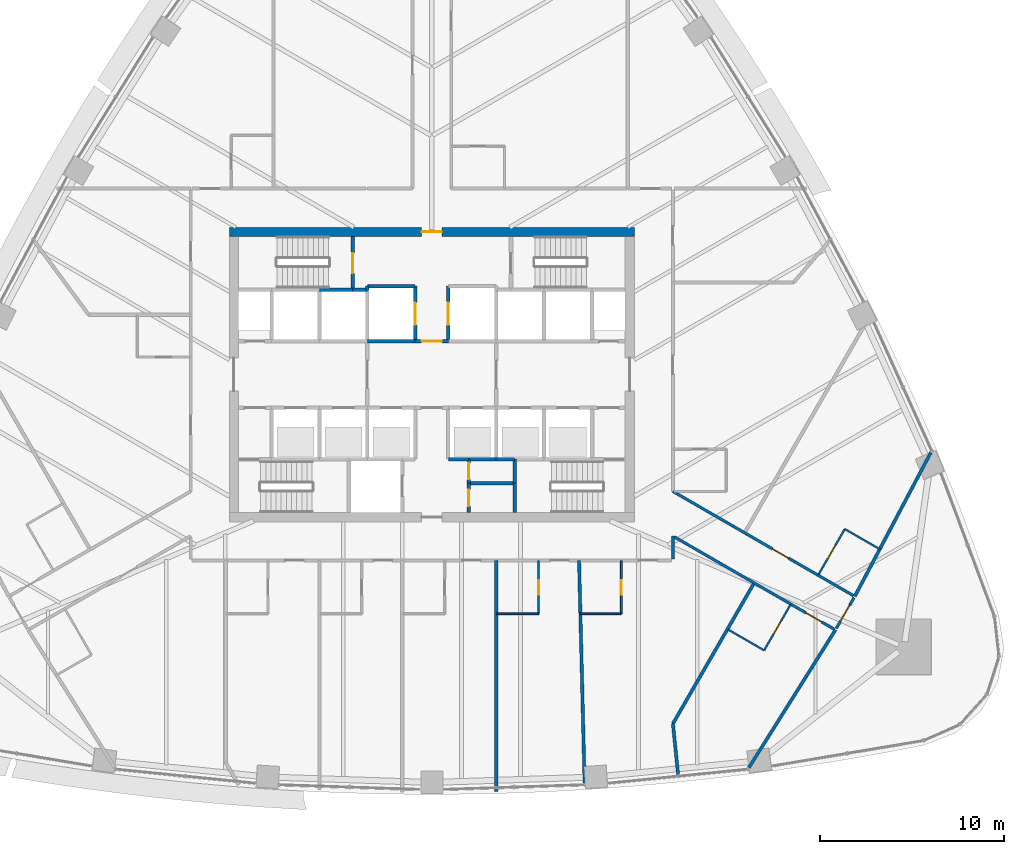
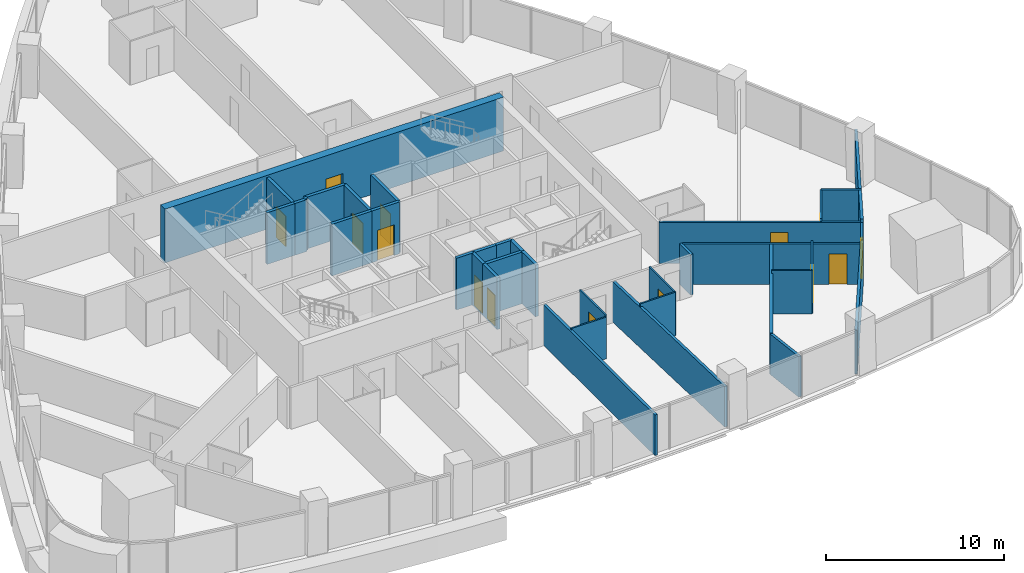
# One storey, part 11 of 17: 36 walls, 14 doors, 14 openings.
"""IFC4 building model written with IfcOpenShell, lengths in metres."""

from ifc_helpers import new_model, si_unit, direction, frame, frame_2d, origin, place, context, subcontext, project, spatial, rectangle, extrude, material, layer, layer_set, type_object, element, fill, save


model = new_model("IFC4")

# Units and contexts
model_context = context("Model", 3, precision=1e-05, world=origin(), true_north=direction((0.0, 1.0)))
body_context = subcontext(model_context, "Body", "Model", "MODEL_VIEW")
ifc_project = project(units=[si_unit("LENGTHUNIT", "METRE"), si_unit("AREAUNIT", "SQUARE_METRE"), si_unit("VOLUMEUNIT", "CUBIC_METRE"), si_unit("PLANEANGLEUNIT", "RADIAN"), si_unit("MASSUNIT", "GRAM", prefix="KILO")], contexts=[model_context])

# Site, building, storey
site_placement = place(None, origin())
site = spatial("IfcSite", under=ifc_project, at=site_placement, CompositionType="ELEMENT")
building_placement = place(site_placement, origin())
building = spatial("IfcBuilding", under=site, at=building_placement, Name="Sierra Prisma Convention Tower", CompositionType="ELEMENT")
storey_placement = place(building_placement, frame((0.0, 0.0, 99.800048828125)))
storey = spatial("IfcBuildingStorey", under=building, at=storey_placement, Name="L21", CompositionType="ELEMENT", Elevation=99.800048828125)

# Wall, opening, door
ifc_material_1 = material(Name="Gypsum board partition", Category="gypsum")
ifc_layer_1 = layer(ifc_material_1, 0.10009765625)
ifc_layer_set_1 = layer_set([ifc_layer_1], Name="Bathroom partition 100")
wall_type_1 = type_object("IfcWallType", Name="Bathroom partition 100", PredefinedType="PARTITIONING", material=ifc_layer_set_1)
wall_1_placement = place(storey_placement, frame((5.800048828125, -10.1298828125, 0.0), z_axis=(0.0, 0.0, 1.0), x_axis=(0.0, -1.0, 0.0)))
wall_1 = element("IfcWall", 1, at=wall_1_placement, inside=storey, type_object=wall_type_1, Name="Partition L21 bath 20", PredefinedType="PARTITIONING", context=body_context, shape_type="SweptSolid", body=[
    extrude(rectangle(XDim=2.8701171875, YDim=0.10009765625, at=frame_2d((1.43505859375, 0.0))), origin(), (0.0, 0.0, 1.0), 3.0),
])
opening_1_placement = place(wall_1_placement, frame((1.034912109375, 0.0, 0.0)))
opening_1 = element("IfcOpeningElement", 2, at=opening_1_placement, cuts=wall_1, Name="Opening L21-D010", PredefinedType="OPENING", context=body_context, shape_type="SweptSolid", body=[
    extrude(rectangle(XDim=0.800048828125, YDim=2.10009765625, at=frame_2d((0.39990234375, 1.050048828125))), frame((0.0, 0.050048828125, 0.0), z_axis=(0.0, -1.0, 0.0), x_axis=(1.0, 0.0, 0.0)), (0.0, 0.0, 1.0), 0.10009765625),
])
ifc_material_2 = material(Name="Solid core timber door leaf", Category="wood")
door_type_1 = type_object("IfcDoorType", Name="Door 800x2100 plain", OperationType="SINGLE_SWING_LEFT", PredefinedType="DOOR", material=ifc_material_2)
door_1_placement = place(opening_1_placement, origin())
door_1 = element("IfcDoor", 3, at=door_1_placement, inside=storey, type_object=door_type_1, Name="Door L21 24", OperationType="SINGLE_SWING_LEFT", OverallHeight=2.10009765625, OverallWidth=0.800048828125, PredefinedType="DOOR", context=body_context, shape_type="SweptSolid", body=[
    extrude(rectangle(XDim=0.800048828125, YDim=2.10009765625, at=frame_2d((0.39990234375, 1.050048828125))), frame((0.0, 0.02490234375, 0.0), z_axis=(0.0, -1.0, 0.0), x_axis=(1.0, 0.0, 0.0)), (0.0, 0.0, 1.0), 0.050048828125),
])
fill(opening_1, door_1)

# Wall
wall_2_placement = place(storey_placement, frame((5.800048828125, -13.0, 0.0), z_axis=(0.0, 0.0, 1.0), x_axis=(-1.0, 0.0, 0.0)))
element("IfcWall", 4, at=wall_2_placement, inside=storey, type_object=wall_type_1, Name="Partition L21 bath 21", PredefinedType="PARTITIONING", context=body_context, shape_type="SweptSolid", body=[
    extrude(rectangle(XDim=2.27001953125, YDim=0.10009765625, at=frame_2d((1.135009765625, 0.0))), origin(), (0.0, 0.0, 1.0), 2.866943359375),
])

# Wall, opening, door
wall_3_placement = place(storey_placement, frame((10.300048828125, -10.1298828125, 0.0), z_axis=(0.0, 0.0, 1.0), x_axis=(0.0, -1.0, 0.0)))
wall_3 = element("IfcWall", 5, at=wall_3_placement, inside=storey, type_object=wall_type_1, Name="Partition L21 bath 22", PredefinedType="PARTITIONING", context=body_context, shape_type="SweptSolid", body=[
    extrude(rectangle(XDim=2.8701171875, YDim=0.10009765625, at=frame_2d((1.43505859375, 0.0))), origin(), (0.0, 0.0, 1.0), 3.0),
])
opening_2_placement = place(wall_3_placement, frame((1.034912109375, 0.0, 0.0)))
opening_2 = element("IfcOpeningElement", 6, at=opening_2_placement, cuts=wall_3, Name="Opening L21-D011", PredefinedType="OPENING", context=body_context, shape_type="SweptSolid", body=[
    extrude(rectangle(XDim=0.800048828125, YDim=2.10009765625, at=frame_2d((0.39990234375, 1.050048828125))), frame((0.0, 0.050048828125, 0.0), z_axis=(0.0, -1.0, 0.0), x_axis=(1.0, 0.0, 0.0)), (0.0, 0.0, 1.0), 0.10009765625),
])
door_2_placement = place(opening_2_placement, origin())
door_2 = element("IfcDoor", 7, at=door_2_placement, inside=storey, type_object=door_type_1, Name="Door L21 26", OperationType="SINGLE_SWING_RIGHT", OverallHeight=2.10009765625, OverallWidth=0.800048828125, PredefinedType="DOOR", context=body_context, shape_type="SweptSolid", body=[
    extrude(rectangle(XDim=0.800048828125, YDim=2.10009765625, at=frame_2d((0.39990234375, 1.050048828125))), frame((0.0, 0.02490234375, 0.0), z_axis=(0.0, -1.0, 0.0), x_axis=(1.0, 0.0, 0.0)), (0.0, 0.0, 1.0), 0.050048828125),
])
fill(opening_2, door_2)

# Wall
wall_4_placement = place(storey_placement, frame((10.300048828125, -13.0, 0.0), z_axis=(0.0, 0.0, 1.0), x_axis=(-1.0, 0.0, 0.0)))
element("IfcWall", 8, at=wall_4_placement, inside=storey, type_object=wall_type_1, Name="Partition L21 bath 23", PredefinedType="PARTITIONING", context=body_context, shape_type="SweptSolid", body=[
    extrude(rectangle(XDim=2.27001953125, YDim=0.10009765625, at=frame_2d((1.135009765625, 0.0))), origin(), (0.0, 0.0, 1.0), 3.0),
])

# Wall, opening, door
wall_5_placement = place(storey_placement, frame((19.489990234375, -12.499755859375, 0.0), z_axis=(0.0, 0.0, 1.0), x_axis=(-0.499972835562, -0.866041086612, 0.0)))
wall_5 = element("IfcWall", 9, at=wall_5_placement, inside=storey, type_object=wall_type_1, Name="Partition L21 bath 27", PredefinedType="PARTITIONING", context=body_context, shape_type="SweptSolid", body=[
    extrude(rectangle(XDim=2.869873046875, YDim=0.10009765625, at=frame_2d((1.43505859375, 0.0))), origin(), (0.0, 0.0, 1.0), 3.0),
])
opening_3_placement = place(wall_5_placement, frame((1.034912109375, 0.0, 0.0)))
opening_3 = element("IfcOpeningElement", 10, at=opening_3_placement, cuts=wall_5, Name="Opening L21-D012", PredefinedType="OPENING", context=body_context, shape_type="SweptSolid", body=[
    extrude(rectangle(XDim=0.800048828125, YDim=2.10009765625, at=frame_2d((0.39990234375, 1.050048828125))), frame((0.0, 0.050048828125, 0.0), z_axis=(0.0, -1.0, 0.0), x_axis=(1.0, 0.0, 0.0)), (0.0, 0.0, 1.0), 0.10009765625),
])
door_3_placement = place(opening_3_placement, origin())
door_3 = element("IfcDoor", 11, at=door_3_placement, inside=storey, type_object=door_type_1, Name="Door L21 28", OperationType="SINGLE_SWING_LEFT", OverallHeight=2.10009765625, OverallWidth=0.800048828125, PredefinedType="DOOR", context=body_context, shape_type="SweptSolid", body=[
    extrude(rectangle(XDim=0.800048828125, YDim=2.10009765625, at=frame_2d((0.39990234375, 1.050048828125))), frame((0.0, 0.02490234375, 0.0), z_axis=(0.0, -1.0, 0.0), x_axis=(1.0, 0.0, 0.0)), (0.0, 0.0, 1.0), 0.050048828125),
])
fill(opening_3, door_3)

# Wall
wall_6_placement = place(storey_placement, frame((18.05517578125, -14.985107421875, 0.0), z_axis=(0.0, 0.0, 1.0), x_axis=(-0.866044110172, 0.499967598186, 0.0)))
element("IfcWall", 12, at=wall_6_placement, inside=storey, type_object=wall_type_1, Name="Partition L21 bath 28", PredefinedType="PARTITIONING", context=body_context, shape_type="SweptSolid", body=[
    extrude(rectangle(XDim=2.270263671875, YDim=0.10009765625, at=frame_2d((1.13525390625, 0.0))), origin(), (0.0, 0.0, 1.0), 3.0),
])

# Wall, opening, door
wall_7_placement = place(storey_placement, frame((21.003173828125, -10.879150390625, 0.0), z_axis=(0.0, 0.0, 1.0), x_axis=(0.499936001555, 0.866062350151, 0.0)))
wall_7 = element("IfcWall", 13, at=wall_7_placement, inside=storey, type_object=wall_type_1, Name="Partition L21 bath 29", PredefinedType="PARTITIONING", context=body_context, shape_type="SweptSolid", body=[
    extrude(rectangle(XDim=2.8701171875, YDim=0.10009765625, at=frame_2d((1.43505859375, 0.0))), origin(), (0.0, 0.0, 1.0), 3.0),
])
opening_4_placement = place(wall_7_placement, frame((1.034912109375, 0.0, 0.0)))
opening_4 = element("IfcOpeningElement", 14, at=opening_4_placement, cuts=wall_7, Name="Opening L21-D013", PredefinedType="OPENING", context=body_context, shape_type="SweptSolid", body=[
    extrude(rectangle(XDim=0.800048828125, YDim=2.10009765625, at=frame_2d((0.39990234375, 1.050048828125))), frame((0.0, 0.050048828125, 0.0), z_axis=(0.0, -1.0, 0.0), x_axis=(1.0, 0.0, 0.0)), (0.0, 0.0, 1.0), 0.10009765625),
])
door_4_placement = place(opening_4_placement, origin())
door_4 = element("IfcDoor", 15, at=door_4_placement, inside=storey, type_object=door_type_1, Name="Door L21 31", OperationType="SINGLE_SWING_LEFT", OverallHeight=2.10009765625, OverallWidth=0.800048828125, PredefinedType="DOOR", context=body_context, shape_type="SweptSolid", body=[
    extrude(rectangle(XDim=0.800048828125, YDim=2.10009765625, at=frame_2d((0.39990234375, 1.050048828125))), frame((0.0, 0.02490234375, 0.0), z_axis=(0.0, -1.0, 0.0), x_axis=(1.0, 0.0, 0.0)), (0.0, 0.0, 1.0), 0.050048828125),
])
fill(opening_4, door_4)

# Walls
wall_8_placement = place(storey_placement, frame((22.43798828125, -8.3935546875, 0.0), z_axis=(0.0, 0.0, 1.0), x_axis=(0.866044110172, -0.499967598186, 0.0)))
element("IfcWall", 16, at=wall_8_placement, inside=storey, type_object=wall_type_1, Name="Partition L21 bath 30", PredefinedType="PARTITIONING", context=body_context, shape_type="SweptSolid", body=[
    extrude(rectangle(XDim=2.270263671875, YDim=0.10009765625, at=frame_2d((1.13525390625, 0.0))), origin(), (0.0, 0.0, 1.0), 3.0),
])
ifc_material_3 = material(Name="Concrete C30/37", Category="concrete")
ifc_layer_2 = layer(ifc_material_3, 0.199951171875)
ifc_layer_set_2 = layer_set([ifc_layer_2], Name="Core wall RC 200 C30/37")
wall_type_2 = type_object("IfcWallType", Name="Core wall RC 200 C30/37", PredefinedType="SOLIDWALL", material=ifc_layer_set_2)
wall_9_placement = place(storey_placement, frame((-4.300048828125, 4.60009765625, 0.0), z_axis=(0.0, 0.0, 1.0), x_axis=(-1.0, 0.0, 0.0)))
element("IfcWall", 17, at=wall_9_placement, inside=storey, type_object=wall_type_2, Name="Core wall L21 16", PredefinedType="SOLIDWALL", context=body_context, shape_type="SweptSolid", body=[
    extrude(rectangle(XDim=1.800048828125, YDim=0.199951171875, at=frame_2d((0.89990234375, 0.0))), origin(), (0.0, 0.0, 1.0), 3.550048828125),
])
wall_10_placement = place(storey_placement, frame((-3.5, 4.60009765625, 0.0), z_axis=(0.0, 0.0, 1.0), x_axis=(-1.0, 0.0, 0.0)))
element("IfcWall", 18, at=wall_10_placement, inside=storey, type_object=wall_type_2, Name="Core wall L21 19", PredefinedType="SOLIDWALL", context=body_context, shape_type="SweptSolid", body=[
    extrude(rectangle(XDim=0.800048828125, YDim=0.199951171875, at=frame_2d((0.39990234375, 0.0))), origin(), (0.0, 0.0, 1.0), 3.550048828125),
])

# Wall, opening, door
wall_11_placement = place(storey_placement, frame((-4.300048828125, 4.60009765625, 0.0), z_axis=(0.0, 0.0, 1.0), x_axis=(0.0, 1.0, 0.0)))
wall_11 = element("IfcWall", 19, at=wall_11_placement, inside=storey, type_object=wall_type_2, Name="Core wall L21 20", PredefinedType="SOLIDWALL", context=body_context, shape_type="SweptSolid", body=[
    extrude(rectangle(XDim=2.89990234375, YDim=0.199951171875, at=frame_2d((1.449951171875, 0.0))), origin(), (0.0, 0.0, 1.0), 3.550048828125),
])
opening_5_placement = place(wall_11_placement, frame((0.89990234375, 0.0, 0.0)))
opening_5 = element("IfcOpeningElement", 20, at=opening_5_placement, cuts=wall_11, Name="Opening L21-D034", PredefinedType="OPENING", context=body_context, shape_type="SweptSolid", body=[
    extrude(rectangle(XDim=1.10009765625, YDim=2.10009765625, at=frame_2d((0.550048828125, 1.050048828125))), frame((0.0, 0.10009765625, 0.0), z_axis=(0.0, -1.0, 0.0), x_axis=(1.0, 0.0, 0.0)), (0.0, 0.0, 1.0), 0.199951171875),
])
ifc_material_4 = material(Name="Steel fire door leaf", Category="steel")
door_type_2 = type_object("IfcDoorType", Name="Door 1100x2100 FD90S", OperationType="SINGLE_SWING_LEFT", PredefinedType="DOOR", material=ifc_material_4)
door_5_placement = place(opening_5_placement, origin())
door_5 = element("IfcDoor", 21, at=door_5_placement, inside=storey, type_object=door_type_2, Name="Door L21 53", OperationType="SINGLE_SWING_RIGHT", OverallHeight=2.10009765625, OverallWidth=1.10009765625, PredefinedType="DOOR", context=body_context, shape_type="SweptSolid", body=[
    extrude(rectangle(XDim=1.10009765625, YDim=2.10009765625, at=frame_2d((0.550048828125, 1.050048828125))), frame((0.0, 0.02490234375, 0.0), z_axis=(0.0, -1.0, 0.0), x_axis=(1.0, 0.0, 0.0)), (0.0, 0.0, 1.0), 0.050048828125),
])
fill(opening_5, door_5)

# Wall
wall_12_placement = place(storey_placement, frame((-0.89990234375, 1.800048828125, 0.0), z_axis=(0.0, 0.0, 1.0), x_axis=(-1.0, 0.0, 0.0)))
element("IfcWall", 22, at=wall_12_placement, inside=storey, type_object=wall_type_2, Name="Core wall L21 25", PredefinedType="SOLIDWALL", context=body_context, shape_type="SweptSolid", body=[
    extrude(rectangle(XDim=2.60009765625, YDim=0.199951171875, at=frame_2d((1.300048828125, 0.0))), origin(), (0.0, 0.0, 1.0), 3.550048828125),
])

# Wall, opening, door
wall_13_placement = place(storey_placement, frame((-0.89990234375, 1.800048828125, 0.0), z_axis=(0.0, 0.0, 1.0), x_axis=(0.0, 1.0, 0.0)))
wall_13 = element("IfcWall", 23, at=wall_13_placement, inside=storey, type_object=wall_type_2, Name="Core wall L21 27", PredefinedType="SOLIDWALL", context=body_context, shape_type="SweptSolid", body=[
    extrude(rectangle(XDim=3.0, YDim=0.199951171875, at=frame_2d((1.5, 0.0))), origin(), (0.0, 0.0, 1.0), 3.550048828125),
])
opening_6_placement = place(wall_13_placement, frame((0.89990234375, 0.0, 0.0)))
opening_6 = element("IfcOpeningElement", 24, at=opening_6_placement, cuts=wall_13, Name="Opening L21-D021", PredefinedType="OPENING", context=body_context, shape_type="SweptSolid", body=[
    extrude(rectangle(XDim=1.199951171875, YDim=2.10009765625, at=frame_2d((0.60009765625, 1.050048828125))), frame((0.0, 0.10009765625, 0.0), z_axis=(0.0, -1.0, 0.0), x_axis=(1.0, 0.0, 0.0)), (0.0, 0.0, 1.0), 0.199951171875),
])
ifc_material_5 = material(Name="Steel fire door leaf", Category="steel")
door_type_3 = type_object("IfcDoorType", Name="Door 1200x2100 EI 90 sliding lift landing", OperationType="SLIDING_TO_LEFT", PredefinedType="DOOR", material=ifc_material_5)
door_6_placement = place(opening_6_placement, origin())
door_6 = element("IfcDoor", 25, at=door_6_placement, inside=storey, type_object=door_type_3, Name="Door L21 40", OperationType="SLIDING_TO_RIGHT", OverallHeight=2.10009765625, OverallWidth=1.199951171875, PredefinedType="DOOR", context=body_context, shape_type="SweptSolid", body=[
    extrude(rectangle(XDim=1.199951171875, YDim=2.10009765625, at=frame_2d((0.60009765625, 1.050048828125))), frame((0.0, 0.02490234375, 0.0), z_axis=(0.0, -1.0, 0.0), x_axis=(1.0, 0.0, 0.0)), (0.0, 0.0, 1.0), 0.050048828125),
])
fill(opening_6, door_6)

# Walls
wall_14_placement = place(storey_placement, frame((-0.89990234375, 4.800048828125, 0.0), z_axis=(0.0, 0.0, 1.0), x_axis=(-1.0, 0.0, 0.0)))
element("IfcWall", 26, at=wall_14_placement, inside=storey, type_object=wall_type_2, Name="Core wall L21 28", PredefinedType="SOLIDWALL", context=body_context, shape_type="SweptSolid", body=[
    extrude(rectangle(XDim=2.60009765625, YDim=0.199951171875, at=frame_2d((1.300048828125, 0.0))), origin(), (0.0, 0.0, 1.0), 3.550048828125),
])
wall_15_placement = place(storey_placement, frame((-3.5, 4.800048828125, 0.0), z_axis=(0.0, 0.0, 1.0), x_axis=(0.0, -1.0, 0.0)))
element("IfcWall", 27, at=wall_15_placement, inside=storey, type_object=wall_type_2, Name="Core wall L21 29", PredefinedType="SOLIDWALL", context=body_context, shape_type="SweptSolid", body=[
    extrude(rectangle(XDim=0.199951171875, YDim=0.199951171875, at=frame_2d((0.10009765625, 0.0))), origin(), (0.0, 0.0, 1.0), 3.550048828125),
])

# Wall, opening, door
wall_16_placement = place(storey_placement, frame((0.89990234375, 1.800048828125, 0.0), z_axis=(0.0, 0.0, 1.0), x_axis=(-1.0, 0.0, 0.0)))
wall_16 = element("IfcWall", 28, at=wall_16_placement, inside=storey, type_object=wall_type_2, Name="Core wall L21 34", PredefinedType="SOLIDWALL", context=body_context, shape_type="SweptSolid", body=[
    extrude(rectangle(XDim=1.7998046875, YDim=0.199951171875, at=frame_2d((0.89990234375, 0.0))), origin(), (0.0, 0.0, 1.0), 3.550048828125),
])
opening_7_placement = place(wall_16_placement, frame((0.35009765625, 0.0, 0.0)))
opening_7 = element("IfcOpeningElement", 29, at=opening_7_placement, cuts=wall_16, Name="Opening L21-D028", PredefinedType="OPENING", context=body_context, shape_type="SweptSolid", body=[
    extrude(rectangle(XDim=1.10009765625, YDim=2.10009765625, at=frame_2d((0.550048828125, 1.050048828125))), frame((0.0, 0.10009765625, 0.0), z_axis=(0.0, -1.0, 0.0), x_axis=(1.0, 0.0, 0.0)), (0.0, 0.0, 1.0), 0.199951171875),
])
ifc_material_6 = material(Name="Steel fire door leaf", Category="steel")
door_type_4 = type_object("IfcDoorType", Name="Door 1100x2100 FD60S", OperationType="SINGLE_SWING_LEFT", PredefinedType="DOOR", material=ifc_material_6)
door_7_placement = place(opening_7_placement, origin())
door_7 = element("IfcDoor", 30, at=door_7_placement, inside=storey, type_object=door_type_4, Name="Door L21 47", OperationType="SINGLE_SWING_RIGHT", OverallHeight=2.10009765625, OverallWidth=1.10009765625, PredefinedType="DOOR", context=body_context, shape_type="SweptSolid", body=[
    extrude(rectangle(XDim=1.10009765625, YDim=2.10009765625, at=frame_2d((0.550048828125, 1.050048828125))), frame((0.0, 0.02490234375, 0.0), z_axis=(0.0, -1.0, 0.0), x_axis=(1.0, 0.0, 0.0)), (0.0, 0.0, 1.0), 0.050048828125),
])
fill(opening_7, door_7)

# Wall
wall_17_placement = place(storey_placement, frame((0.89990234375, -4.60009765625, 0.0), z_axis=(0.0, 0.0, 1.0), x_axis=(1.0, 0.0, 0.0)))
element("IfcWall", 31, at=wall_17_placement, inside=storey, type_object=wall_type_2, Name="Core wall L21 37", PredefinedType="SOLIDWALL", context=body_context, shape_type="SweptSolid", body=[
    extrude(rectangle(XDim=1.10009765625, YDim=0.199951171875, at=frame_2d((0.550048828125, 0.0))), origin(), (0.0, 0.0, 1.0), 3.550048828125),
])

# Wall, opening, door
wall_18_placement = place(storey_placement, frame((0.89990234375, 4.800048828125, 0.0), z_axis=(0.0, 0.0, 1.0), x_axis=(0.0, -1.0, 0.0)))
wall_18 = element("IfcWall", 32, at=wall_18_placement, inside=storey, type_object=wall_type_2, Name="Core wall L21 41", PredefinedType="SOLIDWALL", context=body_context, shape_type="SweptSolid", body=[
    extrude(rectangle(XDim=3.0, YDim=0.199951171875, at=frame_2d((1.5, 0.0))), origin(), (0.0, 0.0, 1.0), 3.550048828125),
])
opening_8_placement = place(wall_18_placement, frame((0.89990234375, 0.0, 0.0)))
opening_8 = element("IfcOpeningElement", 33, at=opening_8_placement, cuts=wall_18, Name="Opening L21-D022", PredefinedType="OPENING", context=body_context, shape_type="SweptSolid", body=[
    extrude(rectangle(XDim=1.199951171875, YDim=2.10009765625, at=frame_2d((0.60009765625, 1.050048828125))), frame((0.0, 0.10009765625, 0.0), z_axis=(0.0, -1.0, 0.0), x_axis=(1.0, 0.0, 0.0)), (0.0, 0.0, 1.0), 0.199951171875),
])
door_8_placement = place(opening_8_placement, origin())
door_8 = element("IfcDoor", 34, at=door_8_placement, inside=storey, type_object=door_type_3, Name="Door L21 41", OperationType="SLIDING_TO_RIGHT", OverallHeight=2.10009765625, OverallWidth=1.199951171875, PredefinedType="DOOR", context=body_context, shape_type="SweptSolid", body=[
    extrude(rectangle(XDim=1.199951171875, YDim=2.10009765625, at=frame_2d((0.60009765625, 1.050048828125))), frame((0.0, 0.02490234375, 0.0), z_axis=(0.0, -1.0, 0.0), x_axis=(1.0, 0.0, 0.0)), (0.0, 0.0, 1.0), 0.050048828125),
])
fill(opening_8, door_8)

wall_19_placement = place(storey_placement, frame((2.0, -5.89990234375, 0.0), z_axis=(0.0, 0.0, 1.0), x_axis=(0.0, -1.0, 0.0)))
wall_19 = element("IfcWall", 35, at=wall_19_placement, inside=storey, type_object=wall_type_2, Name="Core wall L21 42", PredefinedType="SOLIDWALL", context=body_context, shape_type="SweptSolid", body=[
    extrude(rectangle(XDim=1.60009765625, YDim=0.199951171875, at=frame_2d((0.800048828125, 0.0))), origin(), (0.0, 0.0, 1.0), 3.550048828125),
])
opening_9_placement = place(wall_19_placement, frame((0.35009765625, 0.0, 0.0)))
opening_9 = element("IfcOpeningElement", 36, at=opening_9_placement, cuts=wall_19, Name="Opening L21-D036", PredefinedType="OPENING", context=body_context, shape_type="SweptSolid", body=[
    extrude(rectangle(XDim=0.89990234375, YDim=2.10009765625, at=frame_2d((0.449951171875, 1.050048828125))), frame((0.0, 0.10009765625, 0.0), z_axis=(0.0, -1.0, 0.0), x_axis=(1.0, 0.0, 0.0)), (0.0, 0.0, 1.0), 0.199951171875),
])
ifc_material_7 = material(Name="Steel fire door leaf", Category="steel")
door_type_5 = type_object("IfcDoorType", Name="Door 900x2100 FD30S", OperationType="SINGLE_SWING_LEFT", PredefinedType="DOOR", material=ifc_material_7)
door_9_placement = place(opening_9_placement, origin())
door_9 = element("IfcDoor", 37, at=door_9_placement, inside=storey, type_object=door_type_5, Name="Door L21 55", OperationType="SINGLE_SWING_LEFT", OverallHeight=2.10009765625, OverallWidth=0.89990234375, PredefinedType="DOOR", context=body_context, shape_type="SweptSolid", body=[
    extrude(rectangle(XDim=0.89990234375, YDim=2.10009765625, at=frame_2d((0.449951171875, 1.050048828125))), frame((0.0, 0.02490234375, 0.0), z_axis=(0.0, -1.0, 0.0), x_axis=(1.0, 0.0, 0.0)), (0.0, 0.0, 1.0), 0.050048828125),
])
fill(opening_9, door_9)

# Wall
wall_20_placement = place(storey_placement, frame((4.5, -5.89990234375, 0.0), z_axis=(0.0, 0.0, 1.0), x_axis=(-1.0, 0.0, 0.0)))
element("IfcWall", 38, at=wall_20_placement, inside=storey, type_object=wall_type_2, Name="Core wall L21 43", PredefinedType="SOLIDWALL", context=body_context, shape_type="SweptSolid", body=[
    extrude(rectangle(XDim=2.5, YDim=0.199951171875, at=frame_2d((1.25, 0.0))), origin(), (0.0, 0.0, 1.0), 3.550048828125),
])

# Wall, opening, door
wall_21_placement = place(storey_placement, frame((2.0, -4.60009765625, 0.0), z_axis=(0.0, 0.0, 1.0), x_axis=(0.0, -1.0, 0.0)))
wall_21 = element("IfcWall", 39, at=wall_21_placement, inside=storey, type_object=wall_type_2, Name="Core wall L21 44", PredefinedType="SOLIDWALL", context=body_context, shape_type="SweptSolid", body=[
    extrude(rectangle(XDim=1.2998046875, YDim=0.199951171875, at=frame_2d((0.64990234375, 0.0))), origin(), (0.0, 0.0, 1.0), 3.550048828125),
])
opening_10_placement = place(wall_21_placement, frame((0.199951171875, 0.0, 0.0)))
opening_10 = element("IfcOpeningElement", 40, at=opening_10_placement, cuts=wall_21, Name="Opening L21-D037", PredefinedType="OPENING", context=body_context, shape_type="SweptSolid", body=[
    extrude(rectangle(XDim=0.89990234375, YDim=2.10009765625, at=frame_2d((0.449951171875, 1.050048828125))), frame((0.0, 0.10009765625, 0.0), z_axis=(0.0, -1.0, 0.0), x_axis=(1.0, 0.0, 0.0)), (0.0, 0.0, 1.0), 0.199951171875),
])
door_10_placement = place(opening_10_placement, origin())
door_10 = element("IfcDoor", 41, at=door_10_placement, inside=storey, type_object=door_type_5, Name="Door L21 56", OperationType="SINGLE_SWING_LEFT", OverallHeight=2.10009765625, OverallWidth=0.89990234375, PredefinedType="DOOR", context=body_context, shape_type="SweptSolid", body=[
    extrude(rectangle(XDim=0.89990234375, YDim=2.10009765625, at=frame_2d((0.449951171875, 1.050048828125))), frame((0.0, 0.02490234375, 0.0), z_axis=(0.0, -1.0, 0.0), x_axis=(1.0, 0.0, 0.0)), (0.0, 0.0, 1.0), 0.050048828125),
])
fill(opening_10, door_10)

# Walls
wall_22_placement = place(storey_placement, frame((3.5, -4.60009765625, 0.0), z_axis=(0.0, 0.0, 1.0), x_axis=(-1.0, 0.0, 0.0)))
element("IfcWall", 42, at=wall_22_placement, inside=storey, type_object=wall_type_2, Name="Core wall L21 45", PredefinedType="SOLIDWALL", context=body_context, shape_type="SweptSolid", body=[
    extrude(rectangle(XDim=1.5, YDim=0.199951171875, at=frame_2d((0.75, 0.0))), origin(), (0.0, 0.0, 1.0), 3.550048828125),
])
wall_23_placement = place(storey_placement, frame((4.5, -4.60009765625, 0.0), z_axis=(0.0, 0.0, 1.0), x_axis=(-1.0, 0.0, 0.0)))
element("IfcWall", 43, at=wall_23_placement, inside=storey, type_object=wall_type_2, Name="Core wall L21 46", PredefinedType="SOLIDWALL", context=body_context, shape_type="SweptSolid", body=[
    extrude(rectangle(XDim=1.0, YDim=0.199951171875, at=frame_2d((0.5, 0.0))), origin(), (0.0, 0.0, 1.0), 3.550048828125),
])
wall_24_placement = place(storey_placement, frame((4.5, -7.5, 0.0), z_axis=(0.0, 0.0, 1.0), x_axis=(0.0, 1.0, 0.0)))
element("IfcWall", 44, at=wall_24_placement, inside=storey, type_object=wall_type_2, Name="Core wall L21 55", PredefinedType="SOLIDWALL", context=body_context, shape_type="SweptSolid", body=[
    extrude(rectangle(XDim=1.60009765625, YDim=0.199951171875, at=frame_2d((0.800048828125, 0.0))), origin(), (0.0, 0.0, 1.0), 3.550048828125),
])
wall_25_placement = place(storey_placement, frame((4.5, -5.89990234375, 0.0), z_axis=(0.0, 0.0, 1.0), x_axis=(0.0, 1.0, 0.0)))
element("IfcWall", 45, at=wall_25_placement, inside=storey, type_object=wall_type_2, Name="Core wall L21 56", PredefinedType="SOLIDWALL", context=body_context, shape_type="SweptSolid", body=[
    extrude(rectangle(XDim=1.2998046875, YDim=0.199951171875, at=frame_2d((0.64990234375, 0.0))), origin(), (0.0, 0.0, 1.0), 3.550048828125),
])

# Wall, opening, door
ifc_material_8 = material(Name="Concrete C60/75", Category="concrete")
ifc_layer_3 = layer(ifc_material_8, 0.5)
ifc_layer_set_3 = layer_set([ifc_layer_3], Name="Core wall RC 500 C60/75")
wall_type_3 = type_object("IfcWallType", Name="Core wall RC 500 C60/75", PredefinedType="SHEAR", material=ifc_layer_set_3)
wall_26_placement = place(storey_placement, frame((-11.0, 7.75, 0.0), z_axis=(0.0, 0.0, 1.0), x_axis=(1.0, 0.0, 0.0)))
wall_26 = element("IfcWall", 46, at=wall_26_placement, inside=storey, type_object=wall_type_3, Name="Core wall N L21", PredefinedType="SHEAR", context=body_context, shape_type="SweptSolid", body=[
    extrude(rectangle(XDim=22.0, YDim=0.5, at=frame_2d((11.0, 0.0))), origin(), (0.0, 0.0, 1.0), 3.699951171875),
])
opening_11_placement = place(wall_26_placement, frame((10.449951171875, 0.0, 0.0)))
opening_11 = element("IfcOpeningElement", 47, at=opening_11_placement, cuts=wall_26, Name="Opening L21-D058", PredefinedType="OPENING", context=body_context, shape_type="SweptSolid", body=[
    extrude(rectangle(XDim=1.10009765625, YDim=2.10009765625, at=frame_2d((0.550048828125, 1.050048828125))), frame((0.0, 0.25, 0.0), z_axis=(0.0, -1.0, 0.0), x_axis=(1.0, 0.0, 0.0)), (0.0, 0.0, 1.0), 0.5),
])
door_11_placement = place(opening_11_placement, origin())
door_11 = element("IfcDoor", 48, at=door_11_placement, inside=storey, type_object=door_type_4, Name="Door L21 59", OperationType="SINGLE_SWING_LEFT", OverallHeight=2.10009765625, OverallWidth=1.10009765625, PredefinedType="DOOR", context=body_context, shape_type="SweptSolid", body=[
    extrude(rectangle(XDim=1.10009765625, YDim=2.10009765625, at=frame_2d((0.550048828125, 1.050048828125))), frame((0.0, 0.02490234375, 0.0), z_axis=(0.0, -1.0, 0.0), x_axis=(1.0, 0.0, 0.0)), (0.0, 0.0, 1.0), 0.050048828125),
])
fill(opening_11, door_11)

# Wall
ifc_material_9 = material(Name="Gypsum board partition", Category="gypsum")
ifc_layer_4 = layer(ifc_material_9, 0.14990234375)
ifc_layer_set_4 = layer_set([ifc_layer_4], Name="Corridor wall 150 gypsum EI 60")
wall_type_4 = type_object("IfcWallType", Name="Corridor wall 150 gypsum EI 60", PredefinedType="PARTITIONING", material=ifc_layer_set_4)
wall_27_placement = place(storey_placement, frame((13.10009765625, -10.02001953125, 0.0), z_axis=(0.0, 0.0, 1.0), x_axis=(0.0, 1.0, 0.0)))
element("IfcWall", 49, at=wall_27_placement, inside=storey, type_object=wall_type_4, Name="Partition L21 corr 14", PredefinedType="PARTITIONING", context=body_context, shape_type="SweptSolid", body=[
    extrude(rectangle(XDim=1.244384765625, YDim=0.14990234375, at=frame_2d((0.6220703125, 0.0))), origin(), (0.0, 0.0, 1.0), 2.796875),
])

# Wall, opening, door
wall_28_placement = place(storey_placement, frame((13.17919921875, -8.821533203125, 0.0), z_axis=(0.0, 0.0, 1.0), x_axis=(0.866025385035, -0.500000032475, 0.0)))
wall_28 = element("IfcWall", 50, at=wall_28_placement, inside=storey, type_object=wall_type_4, Name="Partition L21 corr 15", PredefinedType="PARTITIONING", context=body_context, shape_type="SweptSolid", body=[
    extrude(rectangle(XDim=10.0244140625, YDim=0.14990234375, at=frame_2d((5.01220703125, 0.0))), origin(), (0.0, 0.0, 1.0), 2.796875),
])
opening_12_placement = place(wall_28_placement, frame((8.25439453125, 0.0, 0.0)))
opening_12 = element("IfcOpeningElement", 51, at=opening_12_placement, cuts=wall_28, Name="Opening L21-D053", PredefinedType="OPENING", context=body_context, shape_type="SweptSolid", body=[
    extrude(rectangle(XDim=1.0, YDim=2.10009765625, at=frame_2d((0.5, 1.050048828125))), frame((0.0, 0.074951171875, 0.0), z_axis=(0.0, -1.0, 0.0), x_axis=(1.0, 0.0, 0.0)), (0.0, 0.0, 1.0), 0.14990234375),
])
ifc_material_10 = material(Name="Steel fire door leaf", Category="steel")
door_type_6 = type_object("IfcDoorType", Name="Door 1000x2100 FD30S", OperationType="SINGLE_SWING_LEFT", PredefinedType="DOOR", material=ifc_material_10)
door_12_placement = place(opening_12_placement, origin())
door_12 = element("IfcDoor", 52, at=door_12_placement, inside=storey, type_object=door_type_6, Name="Door L21 27", OperationType="SINGLE_SWING_LEFT", OverallHeight=2.10009765625, OverallWidth=1.0, PredefinedType="DOOR", context=body_context, shape_type="SweptSolid", body=[
    extrude(rectangle(XDim=1.0, YDim=2.10009765625, at=frame_2d((0.5, 1.050048828125))), frame((0.0, 0.02490234375, 0.0), z_axis=(0.0, -1.0, 0.0), x_axis=(1.0, 0.0, 0.0)), (0.0, 0.0, 1.0), 0.050048828125),
])
fill(opening_12, door_12)

wall_29_placement = place(storey_placement, frame((22.91064453125, -12.01513671875, 0.0), z_axis=(0.0, 0.0, 1.0), x_axis=(-0.866018341403, 0.500012232204, 0.0)))
wall_29 = element("IfcWall", 53, at=wall_29_placement, inside=storey, type_object=wall_type_4, Name="Partition L21 corr 16", PredefinedType="PARTITIONING", context=body_context, shape_type="SweptSolid", body=[
    extrude(rectangle(XDim=11.328369140625, YDim=0.14990234375, at=frame_2d((5.6640625, 0.0))), origin(), (0.0, 0.0, 1.0), 2.796875),
])
opening_13_placement = place(wall_29_placement, frame((4.07421875, 0.0, 0.0)))
opening_13 = element("IfcOpeningElement", 54, at=opening_13_placement, cuts=wall_29, Name="Opening L21-D055", PredefinedType="OPENING", context=body_context, shape_type="SweptSolid", body=[
    extrude(rectangle(XDim=1.0, YDim=2.10009765625, at=frame_2d((0.5, 1.050048828125))), frame((0.0, 0.074951171875, 0.0), z_axis=(0.0, -1.0, 0.0), x_axis=(1.0, 0.0, 0.0)), (0.0, 0.0, 1.0), 0.14990234375),
])
door_13_placement = place(opening_13_placement, origin())
door_13 = element("IfcDoor", 55, at=door_13_placement, inside=storey, type_object=door_type_6, Name="Door L21 30", OperationType="SINGLE_SWING_LEFT", OverallHeight=2.10009765625, OverallWidth=1.0, PredefinedType="DOOR", context=body_context, shape_type="SweptSolid", body=[
    extrude(rectangle(XDim=1.0, YDim=2.10009765625, at=frame_2d((0.5, 1.050048828125))), frame((0.0, 0.02490234375, 0.0), z_axis=(0.0, -1.0, 0.0), x_axis=(1.0, 0.0, 0.0)), (0.0, 0.0, 1.0), 0.050048828125),
])
fill(opening_13, door_13)

wall_30_placement = place(storey_placement, frame((21.969970703125, -13.804443359375, 0.0), z_axis=(0.0, 0.0, 1.0), x_axis=(0.499969367985, 0.866043088465, 0.0)))
wall_30 = element("IfcWall", 56, at=wall_30_placement, inside=storey, type_object=wall_type_4, Name="Partition L21 corr 18", PredefinedType="PARTITIONING", context=body_context, shape_type="SweptSolid", body=[
    extrude(rectangle(XDim=1.93994140625, YDim=0.14990234375, at=frame_2d((0.969970703125, 0.0))), origin(), (0.0, 0.0, 1.0), 2.796875),
])
opening_14_placement = place(wall_30_placement, frame((0.469970703125, 0.0, 0.0)))
opening_14 = element("IfcOpeningElement", 57, at=opening_14_placement, cuts=wall_30, Name="Opening L21-D054", PredefinedType="OPENING", context=body_context, shape_type="SweptSolid", body=[
    extrude(rectangle(XDim=1.0, YDim=2.10009765625, at=frame_2d((0.5, 1.050048828125))), frame((0.0, 0.074951171875, 0.0), z_axis=(0.0, -1.0, 0.0), x_axis=(1.0, 0.0, 0.0)), (0.0, 0.0, 1.0), 0.14990234375),
])
door_14_placement = place(opening_14_placement, origin())
door_14 = element("IfcDoor", 58, at=door_14_placement, inside=storey, type_object=door_type_6, Name="Door L21 29", OperationType="SINGLE_SWING_LEFT", OverallHeight=2.10009765625, OverallWidth=1.0, PredefinedType="DOOR", context=body_context, shape_type="SweptSolid", body=[
    extrude(rectangle(XDim=1.0, YDim=2.10009765625, at=frame_2d((0.5, 1.050048828125))), frame((0.0, 0.02490234375, 0.0), z_axis=(0.0, -1.0, 0.0), x_axis=(1.0, 0.0, 0.0)), (0.0, 0.0, 1.0), 0.050048828125),
])
fill(opening_14, door_14)

# Walls
ifc_material_11 = material(Name="Acoustic gypsum board partition", Category="gypsum")
ifc_layer_5 = layer(ifc_material_11, 0.175048828125)
ifc_layer_set_5 = layer_set([ifc_layer_5], Name="Guest room party wall 175 acoustic EI 60")
wall_type_5 = type_object("IfcWallType", Name="Guest room party wall 175 acoustic EI 60", PredefinedType="PARTITIONING", material=ifc_layer_set_5)
wall_31_placement = place(storey_placement, frame((3.5, -10.10009765625, 0.0), z_axis=(0.0, 0.0, 1.0), x_axis=(0.0, -1.0, 0.0)))
element("IfcWall", 59, at=wall_31_placement, inside=storey, type_object=wall_type_5, Name="Partition L21 hparty 14", PredefinedType="PARTITIONING", context=body_context, shape_type="SweptSolid", body=[
    extrude(rectangle(XDim=12.5458984375, YDim=0.175048828125, at=frame_2d((6.27294921875, 0.0))), origin(), (0.0, 0.0, 1.0), 2.783935546875),
])
wall_32_placement = place(storey_placement, frame((8.0, -10.10009765625, 0.0), z_axis=(0.0, 0.0, 1.0), x_axis=(0.024895837943, -0.999690050592, 0.0)))
element("IfcWall", 60, at=wall_32_placement, inside=storey, type_object=wall_type_5, Name="Partition L21 hparty 15", PredefinedType="PARTITIONING", context=body_context, shape_type="SweptSolid", body=[
    extrude(rectangle(XDim=12.09130859375, YDim=0.175048828125, at=frame_2d((6.045654296875, 0.0))), origin(), (0.0, 0.0, 1.0), 2.783935546875),
])
wall_33_placement = place(storey_placement, frame((17.51318359375, -11.32373046875, 0.0), z_axis=(0.0, 0.0, 1.0), x_axis=(-0.499982637805, -0.86603542762, 0.0)))
element("IfcWall", 61, at=wall_33_placement, inside=storey, type_object=wall_type_5, Name="Partition L21 hparty 17", PredefinedType="PARTITIONING", context=body_context, shape_type="SweptSolid", body=[
    extrude(rectangle(XDim=8.826416015625, YDim=0.175048828125, at=frame_2d((4.4130859375, 0.0))), origin(), (0.0, 0.0, 1.0), 2.796875),
])
wall_34_placement = place(storey_placement, frame((13.10009765625, -18.9677734375, 0.0), z_axis=(0.0, 0.0, 1.0), x_axis=(0.101232273985, -0.994862818033, 0.0)))
element("IfcWall", 62, at=wall_34_placement, inside=storey, type_object=wall_type_5, Name="Partition L21 hparty 18", PredefinedType="PARTITIONING", context=body_context, shape_type="SweptSolid", body=[
    extrude(rectangle(XDim=2.7685546875, YDim=0.175048828125, at=frame_2d((1.38427734375, 0.0))), origin(), (0.0, 0.0, 1.0), 2.783935546875),
])
for number, where, z_axis, x_axis, name in (
    (63, (21.929931640625, -13.873779296875, 0.0), (0.0, 0.0, 1.0), (-0.53194005048, -0.846782016044, 0.0), "Partition L21 hparty 23"),
    (64, (27.10888671875, -4.244873046875, 0.0), (0.0, 0.0, 1.0), (-0.467360707748, -0.884066721947, 0.0), "Partition L21 hparty 24"),
):
    element("IfcWall", number, at=place(storey_placement, frame(where, z_axis=z_axis, x_axis=x_axis)), inside=storey, type_object=wall_type_5, Name=name, PredefinedType="PARTITIONING", context=body_context, shape_type="SweptSolid", body=[
        extrude(rectangle(XDim=8.83447265625, YDim=0.175048828125, at=frame_2d((4.417236328125, 0.0))), origin(), (0.0, 0.0, 1.0), 3.0),
    ])

save(model, "model.ifc")
